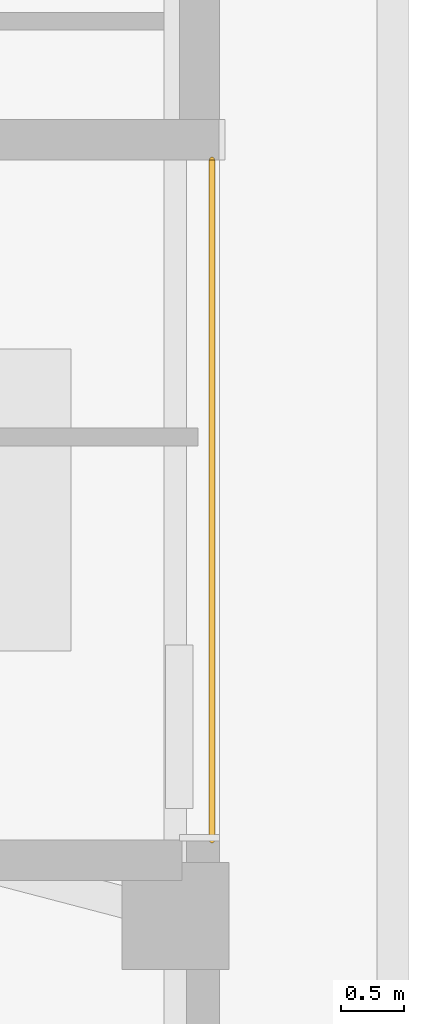
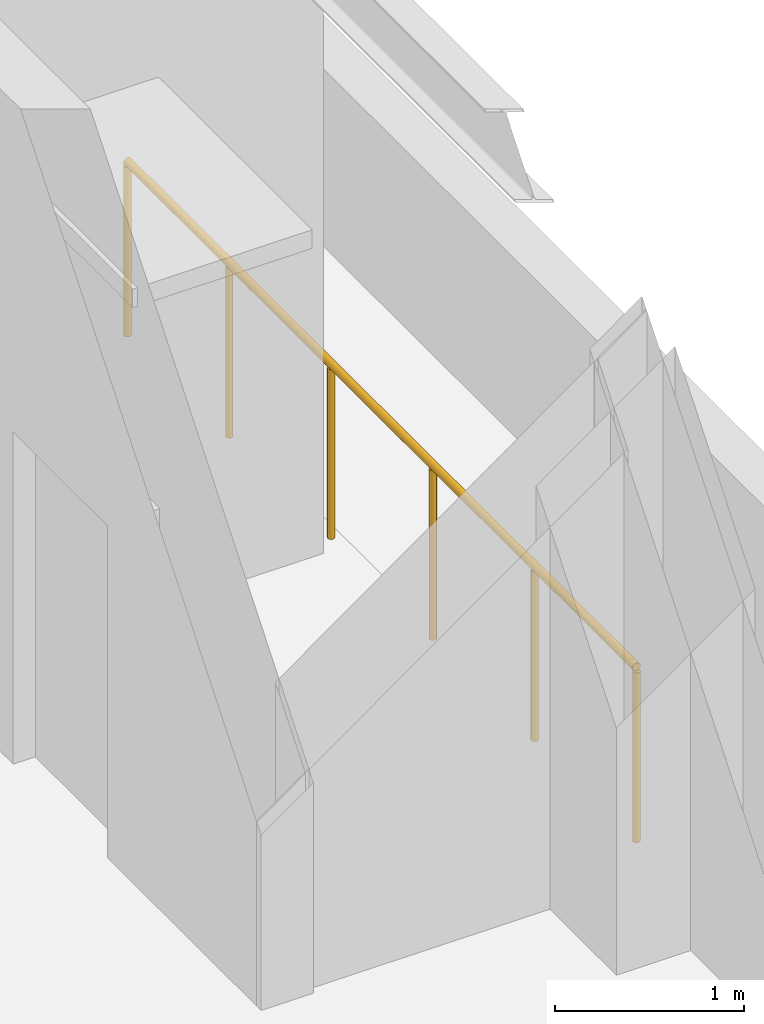
# One storey, part 16 of 18: 1 railing.
"""IFC4 building model written with IfcOpenShell, lengths in metres."""

import ifcopenshell
import ifcopenshell.guid

model = None  # the IFC model being written
_history = None  # IfcOwnerHistory: only IFC2X3 demands one
_inside = {}  # id of a spatial element -> (the spatial element, [elements in it])
_under = {}  # id of a project, library or spatial element -> (it, [spatial elements below it])
_declared = {}  # id of a project -> (the project, [libraries it declares])
_typed = {}  # id of a type object -> (the type object, [elements of that type])
_made_of = {}  # id of a material, layer set ... -> (it, [elements and type objects made of it])


def new_model(schema):
    """Start an empty IFC model of exactly this schema.

    Asked for "IFC4X3", IfcOpenShell would pick the latest addendum, in which some entities
    have other attributes; the version numbers below select the first issue.
    IFC2X3 requires an IfcOwnerHistory on every rooted entity: one is made here for all.
    """
    global model, _history
    if schema == "IFC4X3":
        model = ifcopenshell.file(schema_version=(4, 3, 0, 0))
    else:
        model = ifcopenshell.file(schema=schema)
    _inside.clear()
    _under.clear()
    _declared.clear()
    _typed.clear()
    _made_of.clear()
    _history = None
    if model.schema == "IFC2X3":
        org = make("IfcOrganization", Name="unknown")
        user = make(
            "IfcPersonAndOrganization",
            ThePerson=make("IfcPerson", FamilyName="unknown"),
            TheOrganization=org,
        )
        app = make(
            "IfcApplication",
            ApplicationDeveloper=org,
            Version="unknown",
            ApplicationFullName="unknown",
            ApplicationIdentifier="unknown",
        )
        _history = make(
            "IfcOwnerHistory",
            OwningUser=user,
            OwningApplication=app,
            ChangeAction="ADDED",
            CreationDate=0,
        )
    return model


def make(cls, **values):
    """One entity of the class cls with the attributes given. An attribute that is None is left unset."""
    return model.create_entity(
        cls, **{name: value for name, value in values.items() if value is not None}
    )


def rooted(cls, **values):
    """An entity with a GlobalId (a new one), such as an element, a storey or a relation."""
    return make(cls, GlobalId=ifcopenshell.guid.new(), OwnerHistory=_history, **values)


def si_unit(unit_type, name, prefix=None):
    """IfcSIUnit, for example si_unit("LENGTHUNIT", "METRE", prefix="MILLI")."""
    return make("IfcSIUnit", UnitType=unit_type, Prefix=prefix, Name=name)


def assignment(units):
    """IfcUnitAssignment: the units of a project."""
    return None if units is None else make("IfcUnitAssignment", Units=units)


def point(xyz):
    """IfcCartesianPoint."""
    return None if xyz is None else make("IfcCartesianPoint", Coordinates=xyz)


def direction(xyz):
    """IfcDirection."""
    return None if xyz is None else make("IfcDirection", DirectionRatios=xyz)


def frame(location, z_axis=None, x_axis=None):
    """IfcAxis2Placement3D, a coordinate frame: its origin and axes. An axis left out is left unset."""
    return make(
        "IfcAxis2Placement3D",
        Location=point(location),
        Axis=direction(z_axis),
        RefDirection=direction(x_axis),
    )


def frame_2d(location, x_axis=None):
    """IfcAxis2Placement2D, a coordinate frame in the plane: its origin and x axis."""
    return make(
        "IfcAxis2Placement2D", Location=point(location), RefDirection=direction(x_axis)
    )


def origin():
    """The frame at (0, 0, 0) with its axes left unset."""
    return frame((0.0, 0.0, 0.0))


def origin_2d():
    """The frame at (0, 0) in the plane with its x axis left unset."""
    return frame_2d((0.0, 0.0))


def place(relative_to, where):
    """IfcLocalPlacement: puts the frame where relative to a parent placement (None: the world)."""
    return make(
        "IfcLocalPlacement", PlacementRelTo=relative_to, RelativePlacement=where
    )


def context(
    kind, dimensions, precision=None, world=None, true_north=None, identifier=None
):
    """IfcGeometricRepresentationContext, for example the 3D "Model" context."""
    return make(
        "IfcGeometricRepresentationContext",
        ContextIdentifier=identifier,
        ContextType=kind,
        CoordinateSpaceDimension=dimensions,
        Precision=precision,
        WorldCoordinateSystem=world,
        TrueNorth=true_north,
    )


def subcontext(parent, identifier, kind, view, scale=None):
    """IfcGeometricRepresentationSubContext, for example "Body" below "Model"."""
    return make(
        "IfcGeometricRepresentationSubContext",
        ContextIdentifier=identifier,
        ContextType=kind,
        ParentContext=parent,
        TargetScale=scale,
        TargetView=view,
    )


def project(units=None, contexts=None):
    """IfcProject with its units and contexts."""
    return rooted(
        "IfcProject",
        Name="project",
        RepresentationContexts=contexts,
        UnitsInContext=assignment(units),
    )


def spatial(cls, under=None, at=None, **own):
    """A site, building, storey or space (cls), placed at a placement, below another one or the project."""
    s = rooted(cls, ObjectPlacement=at, **own)
    if under is not None:
        _under.setdefault(under.id(), (under, []))[1].append(s)
    return s


def profile(cls, at=None, kind="AREA", **sizes):
    """A parametric profile (cls). Its sizes go by their IFC names, for example OverallWidth=200.0."""
    return make(cls, ProfileType=kind, Position=at, **sizes)


def circle(**sizes):
    """IfcCircleProfileDef."""
    return profile("IfcCircleProfileDef", **sizes)


def extrude(swept, where, along, depth):
    """IfcExtrudedAreaSolid: the profile swept, set in the frame where, extruded along a direction by depth."""
    return make(
        "IfcExtrudedAreaSolid",
        SweptArea=swept,
        Position=where,
        ExtrudedDirection=direction(along),
        Depth=depth,
    )


def shape(context_of_items, identifier, shape_type, items):
    """IfcShapeRepresentation: the items that make up one representation, for example the "Body"."""
    return make(
        "IfcShapeRepresentation",
        ContextOfItems=context_of_items,
        RepresentationIdentifier=identifier,
        RepresentationType=shape_type,
        Items=items,
    )


def material(Name=None, Category=None):
    """IfcMaterial."""
    return make("IfcMaterial", Name=Name, Category=Category)


def made_of(thing, what):
    """Note that an element or type object is made of a material, layer set ...; save() writes the relation."""
    if what is not None:
        _made_of.setdefault(what.id(), (what, []))[1].append(thing)
    return thing


def type_object(cls, material=None, **own):
    """A type object (cls), such as IfcWallType, which elements share."""
    return made_of(rooted(cls, **own), material)


def element(
    cls,
    number,
    at=None,
    inside=None,
    cuts=None,
    type_object=None,
    material=None,
    context=None,
    identifier="Body",
    shape_type=None,
    held_by="IfcProductDefinitionShape",
    body=None,
    shapes=None,
    **own,
):
    """One element of the class cls, such as IfcWall. Its Tag is "e" and its number.

    at: its placement. inside: the storey or other place that contains it. cuts: it is an
    opening in that element (IfcRelVoidsElement). A single representation is given by context,
    identifier, shape_type and body (its items); several are given by shapes. held_by: the class
    of the entity that holds the representations. save() writes the other relations.
    """
    e = rooted(cls, Tag="e%d" % number, ObjectPlacement=at, **own)
    if body is not None:
        shapes = [shape(context, identifier, shape_type, body)]
    if shapes is not None:
        e.Representation = make(held_by, Representations=shapes)
    if inside is not None:
        _inside.setdefault(inside.id(), (inside, []))[1].append(e)
    if cuts is not None:
        rooted(
            "IfcRelVoidsElement", RelatingBuildingElement=cuts, RelatedOpeningElement=e
        )
    if type_object is not None:
        _typed.setdefault(type_object.id(), (type_object, []))[1].append(e)
    return made_of(e, material)


def aggregate(whole, parts):
    """IfcRelAggregates: a whole, such as a stair, and the parts it consists of."""
    return rooted("IfcRelAggregates", RelatingObject=whole, RelatedObjects=parts)


def save(model, path):
    """Write the relations noted so far, then the file.

    IfcRelAggregates (storeys below a building ...), IfcRelContainedInSpatialStructure (elements
    in a storey), IfcRelDefinesByType, IfcRelAssociatesMaterial and IfcRelDeclares: one each for
    every whole, place, type object, material and project.
    """
    for whole, parts in _under.values():
        aggregate(whole, parts)
    for where, things in _inside.values():
        rooted(
            "IfcRelContainedInSpatialStructure",
            RelatedElements=things,
            RelatingStructure=where,
        )
    for kind, things in _typed.values():
        rooted("IfcRelDefinesByType", RelatedObjects=things, RelatingType=kind)
    for what, things in _made_of.values():
        rooted("IfcRelAssociatesMaterial", RelatedObjects=things, RelatingMaterial=what)
    for by, libraries in _declared.values():
        rooted("IfcRelDeclares", RelatingContext=by, RelatedDefinitions=libraries)
    model.write(path)


model = new_model("IFC4")

# Units and contexts
model_context = context("Model", 3, precision=1e-05, world=origin(), true_north=direction((0.0, 1.0)))
body_context = subcontext(model_context, "Body", "Model", "MODEL_VIEW")
ifc_project = project(units=[si_unit("LENGTHUNIT", "METRE"), si_unit("AREAUNIT", "SQUARE_METRE"), si_unit("VOLUMEUNIT", "CUBIC_METRE"), si_unit("PLANEANGLEUNIT", "RADIAN"), si_unit("MASSUNIT", "GRAM", prefix="KILO")], contexts=[model_context])

# Site, building, storey
site_placement = place(None, origin())
site = spatial("IfcSite", under=ifc_project, at=site_placement, CompositionType="ELEMENT")
building_placement = place(site_placement, origin())
building = spatial("IfcBuilding", under=site, at=building_placement, Name="Cairnveth Concourse Tower", CompositionType="ELEMENT")
storey_placement = place(building_placement, frame((0.0, 0.0, 198.0)))
storey = spatial("IfcBuildingStorey", under=building, at=storey_placement, Name="L54", CompositionType="ELEMENT", Elevation=198.0)

# Railing
ifc_material = material(Name="Architectural Bronze Anodised Aluminium 6063-T6", Category="aluminium")
railing_type = type_object("IfcRailingType", Name="TERRACE BRONZE BALUSTRADE 1150", PredefinedType="BALUSTRADE", material=ifc_material)
railing_placement = place(storey_placement, frame((74.43994140625, 44.39990234375, 0.0)))
element("IfcRailing", 1, at=railing_placement, inside=storey, type_object=railing_type, Name="Terrace Balustrade RL-L54-TERR", PredefinedType="BALUSTRADE", context=body_context, shape_type="SweptSolid", body=[
    extrude(circle(Radius=0.02490234375, at=origin_2d()), frame((0.0, 0.0, 1.125), z_axis=(0.0, 1.0, 0.0), x_axis=(-1.0, 0.0, 0.0)), (0.0, 0.0, 1.0), 5.400146484375),
    extrude(circle(Radius=0.02099609375, at=origin_2d()), origin(), (0.0, 0.0, 1.0), 1.099853515625),
    extrude(circle(Radius=0.02099609375, at=origin_2d()), frame((0.0, 1.080078125, 0.0)), (0.0, 0.0, 1.0), 1.099853515625),
    extrude(circle(Radius=0.02099609375, at=origin_2d()), frame((0.0, 2.16015625, 0.0)), (0.0, 0.0, 1.0), 1.099853515625),
    extrude(circle(Radius=0.02099609375, at=origin_2d()), frame((0.0, 3.239990234375, 0.0)), (0.0, 0.0, 1.0), 1.099853515625),
    extrude(circle(Radius=0.02099609375, at=origin_2d()), frame((0.0, 4.320068359375, 0.0)), (0.0, 0.0, 1.0), 1.099853515625),
    extrude(circle(Radius=0.02099609375, at=origin_2d()), frame((0.0, 5.400146484375, 0.0)), (0.0, 0.0, 1.0), 1.099853515625),
])

save(model, "model.ifc")
